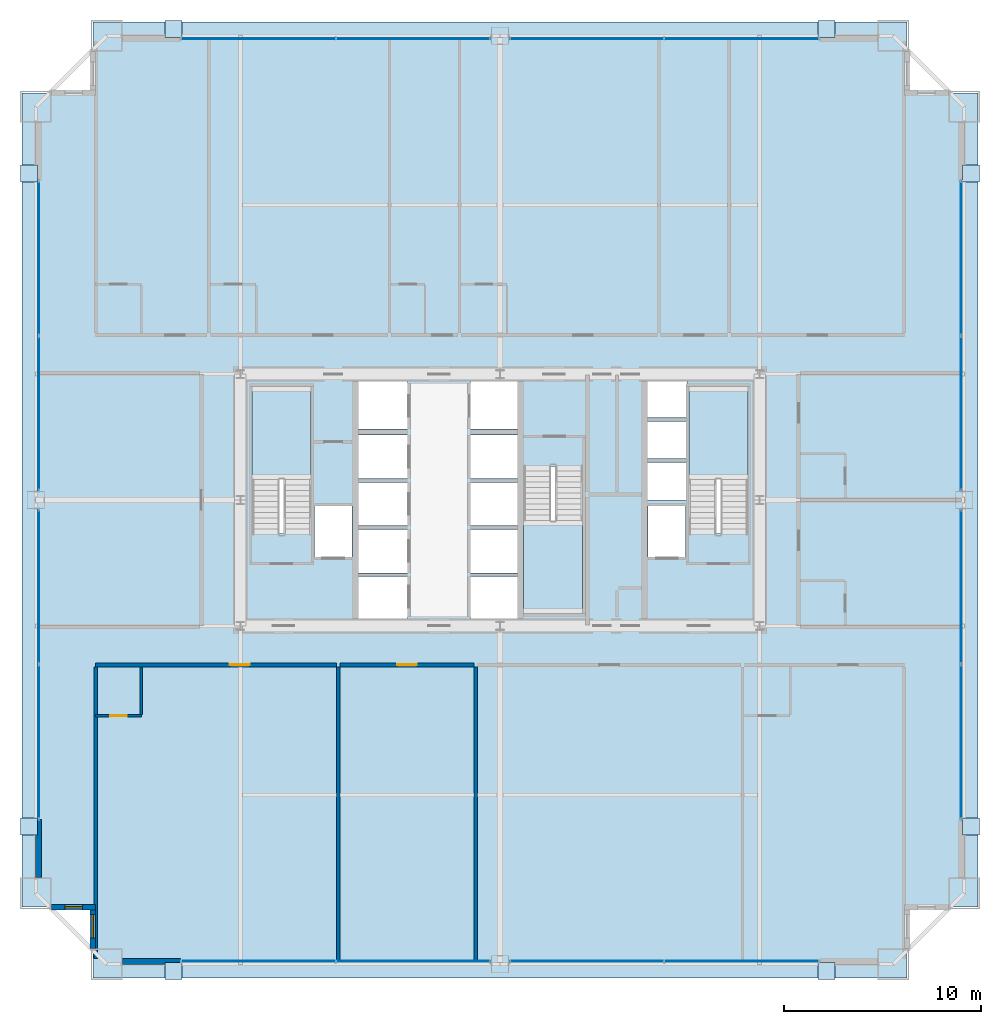
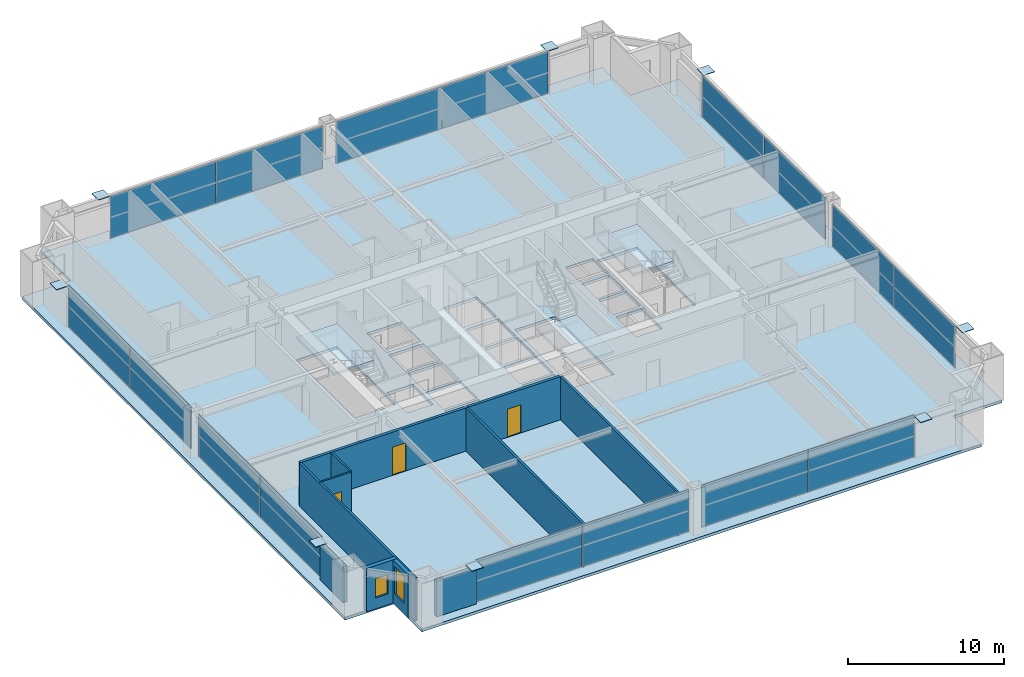
# One storey, part 33 of 38: 24 plates, 11 walls, 4 slabs, 3 doors, 2 windows, 5 openings, 11 elements without a shape of their own.
"""IFC4 building model written with IfcOpenShell, lengths in metres."""

from ifc_helpers import new_model, si_unit, direction, frame, frame_2d, origin, origin_2d, place, context, subcontext, project, spatial, polyline, rectangle, outline, extrude, source, transform, mapped, material, layer, layer_set, type_object, element, fill, aggregate, save


model = new_model("IFC4")

# Units and contexts
model_context = context("Model", 3, precision=1e-05, world=origin(), true_north=direction((0.0, 1.0)))
body_context = subcontext(model_context, "Body", "Model", "MODEL_VIEW")
ifc_project = project(units=[si_unit("LENGTHUNIT", "METRE"), si_unit("AREAUNIT", "SQUARE_METRE"), si_unit("VOLUMEUNIT", "CUBIC_METRE"), si_unit("PLANEANGLEUNIT", "RADIAN"), si_unit("MASSUNIT", "GRAM", prefix="KILO"), si_unit("THERMODYNAMICTEMPERATUREUNIT", "KELVIN"), si_unit("POWERUNIT", "WATT")], contexts=[model_context])

# Site, building, storey
site_placement = place(None, origin())
site = spatial("IfcSite", under=ifc_project, at=site_placement, CompositionType="ELEMENT")
building_placement = place(site_placement, origin())
building = spatial("IfcBuilding", under=site, at=building_placement, Name="Yuzanri Waterfront Tower", CompositionType="ELEMENT")
storey_placement = place(building_placement, frame((0.0, 0.0, 119.0)))
storey = spatial("IfcBuildingStorey", under=building, at=storey_placement, Name="L31", CompositionType="ELEMENT", Elevation=119.0)

# Stair, slab
ifc_material_1 = material(Name="Concrete C40", Category="concrete")
stair_type = type_object("IfcStairType", Name="Concrete C40 Core Dogleg Exit Stair", PredefinedType="HALF_TURN_STAIR", material=ifc_material_1)
stair_1_placement = place(storey_placement, origin())
stair_1 = element("IfcStair", 1, at=stair_1_placement, inside=storey, type_object=stair_type, Name="L31 Smoke-Proof Core Stair ST-01", PredefinedType="HALF_TURN_STAIR")
ifc_material_2 = material(Name="Concrete C40", Category="concrete")
ifc_layer_1 = layer(ifc_material_2, 0.179931640625)
ifc_layer_set_1 = layer_set([ifc_layer_1], Name="Concrete C40")
slab_type_1 = type_object("IfcSlabType", Name="Concrete C40 Stair Half-Landing Slab 180", PredefinedType="LANDING", material=ifc_layer_set_1)
slab_1_placement = place(storey_placement, frame((0.0, 0.0, 1.60009765625)))
slab_1 = element("IfcSlab", 2, at=slab_1_placement, type_object=slab_type_1, Name="ST-01 landing 1", PredefinedType="LANDING", context=body_context, shape_type="SweptSolid", body=[
    extrude(outline(polyline([(27.39990234375, 26.840087890625), (27.39990234375, 31.580078125), (24.39990234375, 31.580078125), (24.39990234375, 26.840087890625), (27.39990234375, 26.840087890625)])), origin(), (0.0, 0.0, 1.0), 0.199951171875),
])
aggregate(stair_1, [slab_1])

stair_2_placement = place(storey_placement, origin())
stair_2 = element("IfcStair", 3, at=stair_2_placement, inside=storey, type_object=stair_type, Name="L31 Smoke-Proof Core Stair ST-02", PredefinedType="HALF_TURN_STAIR")
slab_2_placement = place(storey_placement, frame((0.0, 0.0, 1.60009765625)))
slab_2 = element("IfcSlab", 4, at=slab_2_placement, type_object=slab_type_1, Name="ST-02 landing 1", PredefinedType="LANDING", context=body_context, shape_type="SweptSolid", body=[
    extrude(outline(polyline([(49.60009765625, 26.840087890625), (49.60009765625, 31.580078125), (46.60009765625, 31.580078125), (46.60009765625, 26.840087890625), (49.60009765625, 26.840087890625)])), origin(), (0.0, 0.0, 1.0), 0.199951171875),
])
aggregate(stair_2, [slab_2])

stair_3_placement = place(storey_placement, origin())
stair_3 = element("IfcStair", 5, at=stair_3_placement, inside=storey, type_object=stair_type, Name="L31 Smoke-Proof Core Stair ST-03", PredefinedType="HALF_TURN_STAIR")
slab_3_placement = place(storey_placement, frame((0.0, 0.0, 1.60009765625)))
slab_3 = element("IfcSlab", 6, at=slab_3_placement, type_object=slab_type_1, Name="ST-03 landing 1", PredefinedType="LANDING", context=body_context, shape_type="SweptSolid", body=[
    extrude(outline(polyline([(38.199951171875, 24.760009765625), (38.199951171875, 20.02001953125), (41.199951171875, 20.02001953125), (41.199951171875, 24.760009765625), (38.199951171875, 24.760009765625)])), origin(), (0.0, 0.0, 1.0), 0.199951171875),
])
aggregate(stair_3, [slab_3])

# Slab
ifc_material_3 = material(Name="Concrete C40", Category="concrete")
ifc_layer_2 = layer(ifc_material_3, 0.219970703125)
ifc_layer_set_2 = layer_set([ifc_layer_2], Name="Concrete C40")
slab_type_2 = type_object("IfcSlabType", Name="Concrete C40 Tower Typical Structural Floor Slab 220", PredefinedType="FLOOR", material=ifc_layer_set_2)
slab_4_placement = place(storey_placement, frame((0.0, 0.0, -0.219970703125)))
element("IfcSlab", 7, at=slab_4_placement, inside=storey, type_object=slab_type_2, Name="L31 Main Structural Floor Slab", PredefinedType="FLOOR", context=body_context, shape_type="SweptSolid", body=[
    extrude(outline(polyline([(16.300048828125, 1.5), (57.699951171875, 1.5), (57.699951171875, 5.10009765625), (61.300048828125, 5.10009765625), (61.300048828125, 46.5), (57.699951171875, 46.5), (57.699951171875, 50.10009765625), (16.300048828125, 50.10009765625), (16.300048828125, 46.5), (12.699951171875, 46.5), (12.699951171875, 5.10009765625), (16.300048828125, 5.10009765625), (16.300048828125, 1.5)]), holes=[polyline([(27.39990234375, 24.10009765625), (27.39990234375, 31.580078125), (24.39990234375, 31.580078125), (24.39990234375, 24.10009765625), (27.39990234375, 24.10009765625)]), polyline([(49.60009765625, 24.10009765625), (49.60009765625, 31.580078125), (46.60009765625, 31.580078125), (46.60009765625, 24.10009765625), (49.60009765625, 24.10009765625)]), polyline([(38.199951171875, 27.5), (38.199951171875, 20.02001953125), (41.199951171875, 20.02001953125), (41.199951171875, 27.5), (38.199951171875, 27.5)]), polyline([(27.56005859375, 22.89990234375), (29.47998046875, 22.89990234375), (29.47998046875, 25.5), (27.56005859375, 25.5), (27.56005859375, 22.89990234375)]), polyline([(44.52001953125, 22.89990234375), (46.43994140625, 22.89990234375), (46.43994140625, 25.5), (44.52001953125, 25.5), (44.52001953125, 22.89990234375)]), polyline([(29.800048828125, 19.699951171875), (32.300048828125, 19.699951171875), (32.300048828125, 21.89990234375), (29.800048828125, 21.89990234375), (29.800048828125, 19.699951171875)]), polyline([(29.800048828125, 22.10009765625), (32.300048828125, 22.10009765625), (32.300048828125, 24.300048828125), (29.800048828125, 24.300048828125), (29.800048828125, 22.10009765625)]), polyline([(29.800048828125, 24.5), (32.300048828125, 24.5), (32.300048828125, 26.699951171875), (29.800048828125, 26.699951171875), (29.800048828125, 24.5)]), polyline([(29.800048828125, 26.89990234375), (32.300048828125, 26.89990234375), (32.300048828125, 29.10009765625), (29.800048828125, 29.10009765625), (29.800048828125, 26.89990234375)]), polyline([(29.800048828125, 29.39990234375), (32.300048828125, 29.39990234375), (32.300048828125, 31.89990234375), (29.800048828125, 31.89990234375), (29.800048828125, 29.39990234375)]), polyline([(35.5, 19.699951171875), (37.89990234375, 19.699951171875), (37.89990234375, 21.89990234375), (35.5, 21.89990234375), (35.5, 19.699951171875)]), polyline([(35.5, 22.10009765625), (37.89990234375, 22.10009765625), (37.89990234375, 24.300048828125), (35.5, 24.300048828125), (35.5, 22.10009765625)]), polyline([(35.5, 24.5), (37.89990234375, 24.5), (37.89990234375, 26.699951171875), (35.5, 26.699951171875), (35.5, 24.5)]), polyline([(35.5, 26.89990234375), (37.89990234375, 26.89990234375), (37.89990234375, 29.10009765625), (35.5, 29.10009765625), (35.5, 26.89990234375)]), polyline([(35.5, 29.39990234375), (37.89990234375, 29.39990234375), (37.89990234375, 31.89990234375), (35.5, 31.89990234375), (35.5, 29.39990234375)]), polyline([(44.5, 25.800048828125), (46.5, 25.800048828125), (46.5, 27.699951171875), (44.5, 27.699951171875), (44.5, 25.800048828125)]), polyline([(44.5, 27.89990234375), (46.5, 27.89990234375), (46.5, 29.800048828125), (44.5, 29.800048828125), (44.5, 27.89990234375)]), polyline([(44.5, 30.0), (46.5, 30.0), (46.5, 31.89990234375), (44.5, 31.89990234375), (44.5, 30.0)])]), origin(), (0.0, 0.0, 1.0), 0.219970703125),
])

# Plates
ifc_material_4 = material(Name="Steel Q420GJC", Category="steel")
ifc_layer_3 = layer(ifc_material_4, 0.0400390625)
ifc_layer_set_3 = layer_set([ifc_layer_3], Name="Steel Q420GJC")
plate_type_1 = type_object("IfcPlateType", Name="Steel Q420GJC Mega-Brace Gusset and End-Cap Plate 40", PredefinedType="SHEET", material=ifc_layer_set_3)
shared_shape_1 = source(origin(), body_context, "Body", "SweptSolid", [
    extrude(rectangle(XDim=0.85009765625, YDim=0.85009765625, at=origin_2d()), origin(), (0.0, 0.0, 1.0), 0.0400390625),
])
for number, where, z_axis, x_axis, name in (
    (8, (20.39990234375, 1.860107421875, 3.260009765625), (0.0, 0.0, 1.0), (1.0, 0.0, 0.0), "L31 Mega-Brace Apex Cap Plate S-L"),
    (9, (53.60009765625, 1.860107421875, 3.260009765625), (0.0, 0.0, 1.0), (1.0, 0.0, 0.0), "L31 Mega-Brace Apex Cap Plate S-R"),
    (10, (20.39990234375, 49.739990234375, 3.260009765625), (0.0, 0.0, 1.0), (1.0, 0.0, 0.0), "L31 Mega-Brace Apex Cap Plate N-L"),
    (11, (53.60009765625, 49.739990234375, 3.260009765625), (0.0, 0.0, 1.0), (1.0, 0.0, 0.0), "L31 Mega-Brace Apex Cap Plate N-R"),
    (12, (13.06005859375, 9.199951171875, 3.260009765625), (0.0, 0.0, 1.0), (1.0, 0.0, 0.0), "L31 Mega-Brace Apex Cap Plate W-L"),
    (13, (13.06005859375, 42.39990234375, 3.260009765625), (0.0, 0.0, 1.0), (1.0, 0.0, 0.0), "L31 Mega-Brace Apex Cap Plate W-R"),
    (14, (60.93994140625, 9.199951171875, 3.260009765625), (0.0, 0.0, 1.0), (1.0, 0.0, 0.0), "L31 Mega-Brace Apex Cap Plate E-L"),
    (15, (60.93994140625, 42.39990234375, 3.260009765625), (0.0, 0.0, 1.0), (1.0, 0.0, 0.0), "L31 Mega-Brace Apex Cap Plate E-R"),
):
    element("IfcPlate", number, at=place(storey_placement, frame(where, z_axis=z_axis, x_axis=x_axis)), inside=storey, type_object=plate_type_1, Name=name, PredefinedType="SHEET", context=body_context, shape_type="MappedRepresentation", body=[
        mapped(shared_shape_1, transform((0.0, 0.0, 0.0), scale=1.0)),
    ])

# Curtain wall, plates
ifc_material_5 = material(Name="Anodized Architectural Bronze", Category="metal")
ifc_layer_4 = layer(ifc_material_5, 0.159912109375)
ifc_layer_set_4 = layer_set([ifc_layer_4], Name="Anodized Architectural Bronze")
curtain_wall_type = type_object("IfcCurtainWallType", Name="Anodized Bronze Hotel Upper-Tier Solar-Control Unitized Curtain Wall 7800", PredefinedType="NOTDEFINED", material=ifc_layer_set_4)
curtain_wall_1_placement = place(storey_placement, origin())
curtain_wall_1 = element("IfcCurtainWall", 16, at=curtain_wall_1_placement, inside=storey, type_object=curtain_wall_type, Name="L31 Curtain Wall CW-L31-SL", PredefinedType="NOTDEFINED")
ifc_material_6 = material(Name="Double-Silver Low-E Insulated Glass", Category="glass")
ifc_layer_5 = layer(ifc_material_6, 0.035888671875)
ifc_layer_set_5 = layer_set([ifc_layer_5], Name="Double-Silver Low-E Insulated Glass")
plate_type_2 = type_object("IfcPlateType", Name="Double Silver Low-E Insulated Vision Glass Panel 36", PredefinedType="CURTAIN_PANEL", material=ifc_layer_set_5)
shared_shape_2 = source(origin(), body_context, "Body", "SweptSolid", [
    extrude(rectangle(XDim=7.820068359375, YDim=0.035888671875, at=origin_2d()), origin(), (0.0, 0.0, 1.0), 3.280029296875),
])
plate_1_placement = place(storey_placement, frame((24.699951171875, 2.35009765625, 0.0498046875), z_axis=(0.0, 0.0, 1.0), x_axis=(1.0, 0.0, 0.0)))
plate_1 = element("IfcPlate", 17, at=plate_1_placement, type_object=plate_type_2, Name="CW-L31-SL Vision Glass Panel 01", PredefinedType="CURTAIN_PANEL", context=body_context, shape_type="MappedRepresentation", body=[
    mapped(shared_shape_2, transform((0.0, 0.0, 0.0), scale=1.0)),
])
plate_2_placement = place(storey_placement, frame((32.60009765625, 2.35009765625, 0.0498046875), z_axis=(0.0, 0.0, 1.0), x_axis=(1.0, 0.0, 0.0)))
plate_2 = element("IfcPlate", 18, at=plate_2_placement, type_object=plate_type_2, Name="CW-L31-SL Vision Glass Panel 02", PredefinedType="CURTAIN_PANEL", context=body_context, shape_type="MappedRepresentation", body=[
    mapped(shared_shape_2, transform((0.0, 0.0, 0.0), scale=1.0)),
])
aggregate(curtain_wall_1, [plate_1, plate_2])

curtain_wall_2_placement = place(storey_placement, origin())
curtain_wall_2 = element("IfcCurtainWall", 19, at=curtain_wall_2_placement, inside=storey, type_object=curtain_wall_type, Name="L31 Curtain Wall CW-L31-SR", PredefinedType="NOTDEFINED")
plate_3_placement = place(storey_placement, frame((41.39990234375, 2.35009765625, 0.0498046875), z_axis=(0.0, 0.0, 1.0), x_axis=(1.0, 0.0, 0.0)))
plate_3 = element("IfcPlate", 20, at=plate_3_placement, type_object=plate_type_2, Name="CW-L31-SR Vision Glass Panel 01", PredefinedType="CURTAIN_PANEL", context=body_context, shape_type="MappedRepresentation", body=[
    mapped(shared_shape_2, transform((0.0, 0.0, 0.0), scale=1.0)),
])
plate_4_placement = place(storey_placement, frame((49.300048828125, 2.35009765625, 0.0498046875), z_axis=(0.0, 0.0, 1.0), x_axis=(1.0, 0.0, 0.0)))
plate_4 = element("IfcPlate", 21, at=plate_4_placement, type_object=plate_type_2, Name="CW-L31-SR Vision Glass Panel 02", PredefinedType="CURTAIN_PANEL", context=body_context, shape_type="MappedRepresentation", body=[
    mapped(shared_shape_2, transform((0.0, 0.0, 0.0), scale=1.0)),
])
aggregate(curtain_wall_2, [plate_3, plate_4])

curtain_wall_3_placement = place(storey_placement, origin())
curtain_wall_3 = element("IfcCurtainWall", 22, at=curtain_wall_3_placement, inside=storey, type_object=curtain_wall_type, Name="L31 Curtain Wall CW-L31-NL", PredefinedType="NOTDEFINED")
plate_5_placement = place(storey_placement, frame((24.699951171875, 49.25, 0.0498046875), z_axis=(0.0, 0.0, 1.0), x_axis=(1.0, 0.0, 0.0)))
plate_5 = element("IfcPlate", 23, at=plate_5_placement, type_object=plate_type_2, Name="CW-L31-NL Vision Glass Panel 01", PredefinedType="CURTAIN_PANEL", context=body_context, shape_type="MappedRepresentation", body=[
    mapped(shared_shape_2, transform((0.0, 0.0, 0.0), scale=1.0)),
])
plate_6_placement = place(storey_placement, frame((32.60009765625, 49.25, 0.0498046875), z_axis=(0.0, 0.0, 1.0), x_axis=(1.0, 0.0, 0.0)))
plate_6 = element("IfcPlate", 24, at=plate_6_placement, type_object=plate_type_2, Name="CW-L31-NL Vision Glass Panel 02", PredefinedType="CURTAIN_PANEL", context=body_context, shape_type="MappedRepresentation", body=[
    mapped(shared_shape_2, transform((0.0, 0.0, 0.0), scale=1.0)),
])
aggregate(curtain_wall_3, [plate_5, plate_6])

curtain_wall_4_placement = place(storey_placement, origin())
curtain_wall_4 = element("IfcCurtainWall", 25, at=curtain_wall_4_placement, inside=storey, type_object=curtain_wall_type, Name="L31 Curtain Wall CW-L31-NR", PredefinedType="NOTDEFINED")
plate_7_placement = place(storey_placement, frame((41.39990234375, 49.25, 0.0498046875), z_axis=(0.0, 0.0, 1.0), x_axis=(1.0, 0.0, 0.0)))
plate_7 = element("IfcPlate", 26, at=plate_7_placement, type_object=plate_type_2, Name="CW-L31-NR Vision Glass Panel 01", PredefinedType="CURTAIN_PANEL", context=body_context, shape_type="MappedRepresentation", body=[
    mapped(shared_shape_2, transform((0.0, 0.0, 0.0), scale=1.0)),
])
plate_8_placement = place(storey_placement, frame((49.300048828125, 49.25, 0.0498046875), z_axis=(0.0, 0.0, 1.0), x_axis=(1.0, 0.0, 0.0)))
plate_8 = element("IfcPlate", 27, at=plate_8_placement, type_object=plate_type_2, Name="CW-L31-NR Vision Glass Panel 02", PredefinedType="CURTAIN_PANEL", context=body_context, shape_type="MappedRepresentation", body=[
    mapped(shared_shape_2, transform((0.0, 0.0, 0.0), scale=1.0)),
])
aggregate(curtain_wall_4, [plate_7, plate_8])

curtain_wall_5_placement = place(storey_placement, origin())
curtain_wall_5 = element("IfcCurtainWall", 28, at=curtain_wall_5_placement, inside=storey, type_object=curtain_wall_type, Name="L31 Curtain Wall CW-L31-WL", PredefinedType="NOTDEFINED")
plate_9_placement = place(storey_placement, frame((13.550048828125, 13.5, 0.0498046875), z_axis=(0.0, 0.0, 1.0), x_axis=(0.0, 1.0, 0.0)))
plate_9 = element("IfcPlate", 29, at=plate_9_placement, type_object=plate_type_2, Name="CW-L31-WL Vision Glass Panel 01", PredefinedType="CURTAIN_PANEL", context=body_context, shape_type="MappedRepresentation", body=[
    mapped(shared_shape_2, transform((0.0, 0.0, 0.0), scale=1.0)),
])
plate_10_placement = place(storey_placement, frame((13.550048828125, 21.39990234375, 0.0498046875), z_axis=(0.0, 0.0, 1.0), x_axis=(0.0, 1.0, 0.0)))
plate_10 = element("IfcPlate", 30, at=plate_10_placement, type_object=plate_type_2, Name="CW-L31-WL Vision Glass Panel 02", PredefinedType="CURTAIN_PANEL", context=body_context, shape_type="MappedRepresentation", body=[
    mapped(shared_shape_2, transform((0.0, 0.0, 0.0), scale=1.0)),
])
aggregate(curtain_wall_5, [plate_9, plate_10])

curtain_wall_6_placement = place(storey_placement, origin())
curtain_wall_6 = element("IfcCurtainWall", 31, at=curtain_wall_6_placement, inside=storey, type_object=curtain_wall_type, Name="L31 Curtain Wall CW-L31-WR", PredefinedType="NOTDEFINED")
plate_11_placement = place(storey_placement, frame((13.550048828125, 30.199951171875, 0.0498046875), z_axis=(0.0, 0.0, 1.0), x_axis=(0.0, 1.0, 0.0)))
plate_11 = element("IfcPlate", 32, at=plate_11_placement, type_object=plate_type_2, Name="CW-L31-WR Vision Glass Panel 01", PredefinedType="CURTAIN_PANEL", context=body_context, shape_type="MappedRepresentation", body=[
    mapped(shared_shape_2, transform((0.0, 0.0, 0.0), scale=1.0)),
])
plate_12_placement = place(storey_placement, frame((13.550048828125, 38.10009765625, 0.0498046875), z_axis=(0.0, 0.0, 1.0), x_axis=(0.0, 1.0, 0.0)))
plate_12 = element("IfcPlate", 33, at=plate_12_placement, type_object=plate_type_2, Name="CW-L31-WR Vision Glass Panel 02", PredefinedType="CURTAIN_PANEL", context=body_context, shape_type="MappedRepresentation", body=[
    mapped(shared_shape_2, transform((0.0, 0.0, 0.0), scale=1.0)),
])
aggregate(curtain_wall_6, [plate_11, plate_12])

curtain_wall_7_placement = place(storey_placement, origin())
curtain_wall_7 = element("IfcCurtainWall", 34, at=curtain_wall_7_placement, inside=storey, type_object=curtain_wall_type, Name="L31 Curtain Wall CW-L31-EL", PredefinedType="NOTDEFINED")
plate_13_placement = place(storey_placement, frame((60.449951171875, 13.5, 0.0498046875), z_axis=(0.0, 0.0, 1.0), x_axis=(0.0, 1.0, 0.0)))
plate_13 = element("IfcPlate", 35, at=plate_13_placement, type_object=plate_type_2, Name="CW-L31-EL Vision Glass Panel 01", PredefinedType="CURTAIN_PANEL", context=body_context, shape_type="MappedRepresentation", body=[
    mapped(shared_shape_2, transform((0.0, 0.0, 0.0), scale=1.0)),
])
plate_14_placement = place(storey_placement, frame((60.449951171875, 21.39990234375, 0.0498046875), z_axis=(0.0, 0.0, 1.0), x_axis=(0.0, 1.0, 0.0)))
plate_14 = element("IfcPlate", 36, at=plate_14_placement, type_object=plate_type_2, Name="CW-L31-EL Vision Glass Panel 02", PredefinedType="CURTAIN_PANEL", context=body_context, shape_type="MappedRepresentation", body=[
    mapped(shared_shape_2, transform((0.0, 0.0, 0.0), scale=1.0)),
])
aggregate(curtain_wall_7, [plate_13, plate_14])

curtain_wall_8_placement = place(storey_placement, origin())
curtain_wall_8 = element("IfcCurtainWall", 37, at=curtain_wall_8_placement, inside=storey, type_object=curtain_wall_type, Name="L31 Curtain Wall CW-L31-ER", PredefinedType="NOTDEFINED")
plate_15_placement = place(storey_placement, frame((60.449951171875, 30.199951171875, 0.0498046875), z_axis=(0.0, 0.0, 1.0), x_axis=(0.0, 1.0, 0.0)))
plate_15 = element("IfcPlate", 38, at=plate_15_placement, type_object=plate_type_2, Name="CW-L31-ER Vision Glass Panel 01", PredefinedType="CURTAIN_PANEL", context=body_context, shape_type="MappedRepresentation", body=[
    mapped(shared_shape_2, transform((0.0, 0.0, 0.0), scale=1.0)),
])
plate_16_placement = place(storey_placement, frame((60.449951171875, 38.10009765625, 0.0498046875), z_axis=(0.0, 0.0, 1.0), x_axis=(0.0, 1.0, 0.0)))
plate_16 = element("IfcPlate", 39, at=plate_16_placement, type_object=plate_type_2, Name="CW-L31-ER Vision Glass Panel 02", PredefinedType="CURTAIN_PANEL", context=body_context, shape_type="MappedRepresentation", body=[
    mapped(shared_shape_2, transform((0.0, 0.0, 0.0), scale=1.0)),
])
aggregate(curtain_wall_8, [plate_15, plate_16])

# Wall, opening, door
ifc_material_7 = material(Name="Moisture-Resistant Gypsum Stud Wall", Category="gypsum")
ifc_layer_6 = layer(ifc_material_7, 0.1201171875)
ifc_layer_set_6 = layer_set([ifc_layer_6], Name="Moisture-Resistant Gypsum Stud Wall")
wall_type_1 = type_object("IfcWallType", Name="Bathroom and Kitchen Wet Partition 120", PredefinedType="PARTITIONING", material=ifc_layer_set_6)
wall_1_placement = place(storey_placement, frame((16.43994140625, 14.840087890625, 0.0), z_axis=(0.0, 0.0, 1.0), x_axis=(1.0, 0.0, 0.0)))
wall_1 = element("IfcWall", 40, at=wall_1_placement, inside=storey, type_object=wall_type_1, Name="L31 Partition UW-L31-S1-BS", PredefinedType="PARTITIONING", context=body_context, shape_type="SweptSolid", body=[
    extrude(rectangle(XDim=2.330078125, YDim=0.1201171875, at=frame_2d((1.1650390625, 0.0))), origin(), (0.0, 0.0, 1.0), 3.3798828125),
])
opening_1_placement = place(wall_1_placement, frame((0.739990234375, 0.0, 0.0)))
opening_1 = element("IfcOpeningElement", 41, at=opening_1_placement, cuts=wall_1, Name="Opening ID-0850", PredefinedType="OPENING", context=body_context, shape_type="SweptSolid", body=[
    extrude(rectangle(XDim=0.85009765625, YDim=2.10009765625, at=frame_2d((0.425048828125, 1.050048828125))), frame((0.0, 0.074951171875, 0.0), z_axis=(0.0, -1.0, 0.0), x_axis=(1.0, 0.0, 0.0)), (0.0, 0.0, 1.0), 0.14990234375),
])
ifc_material_8 = material(Name="Moisture-Resistant Lacquered Timber", Category="wood")
door_type_1 = type_object("IfcDoorType", Name="En-Suite Bathroom and Kitchen Swing Door 850x2100", OperationType="NOTDEFINED", PredefinedType="DOOR", material=ifc_material_8)
shared_shape_3 = source(origin(), body_context, "Body", "SweptSolid", [
    extrude(rectangle(XDim=0.85009765625, YDim=2.10009765625, at=frame_2d((0.425048828125, 1.050048828125))), frame((0.0, 0.02490234375, 0.0), z_axis=(0.0, -1.0, 0.0), x_axis=(1.0, 0.0, 0.0)), (0.0, 0.0, 1.0), 0.050048828125),
])
door_1_placement = place(opening_1_placement, origin())
door_1 = element("IfcDoor", 42, at=door_1_placement, inside=storey, type_object=door_type_1, Name="L31 Guest En-Suite Door", OperationType="SINGLE_SWING_LEFT", OverallHeight=2.10009765625, OverallWidth=0.85009765625, PredefinedType="DOOR", context=body_context, shape_type="MappedRepresentation", body=[
    mapped(shared_shape_3, transform((0.0, 0.0, 0.0), scale=1.0)),
])
fill(opening_1, door_1)

# Wall, opening, window
ifc_material_9 = material(Name="Honed Chongqing Dark Basalt Stone", Category="masonry")
ifc_layer_7 = layer(ifc_material_9, 0.300048828125)
ifc_layer_set_7 = layer_set([ifc_layer_7], Name="Honed Chongqing Dark Basalt Stone")
wall_type_2 = type_object("IfcWallType", Name="Bronze Rainscreen Insulated Spandrel Portal Wall 300", PredefinedType="SOLIDWALL", material=ifc_layer_set_7)
wall_2_placement = place(storey_placement, frame((14.199951171875, 5.10009765625, 0.0), z_axis=(0.0, 0.0, 1.0), x_axis=(1.0, 0.0, 0.0)))
wall_2 = element("IfcWall", 43, at=wall_2_placement, inside=storey, type_object=wall_type_2, Name="L31 Notched Corner Masonry Wall SW-X", PredefinedType="SOLIDWALL", context=body_context, shape_type="SweptSolid", body=[
    extrude(rectangle(XDim=2.25, YDim=0.300048828125, at=frame_2d((1.125, 0.0))), origin(), (0.0, 0.0, 1.0), 3.3798828125),
])
opening_2_placement = place(wall_2_placement, frame((0.675048828125, 0.0, 0.85009765625)))
opening_2 = element("IfcOpeningElement", 44, at=opening_2_placement, cuts=wall_2, Name="Opening WN-05", PredefinedType="OPENING", context=body_context, shape_type="SweptSolid", body=[
    extrude(rectangle(XDim=0.89990234375, YDim=1.5, at=frame_2d((0.449951171875, 0.75))), frame((0.0, 0.1650390625, 0.0), z_axis=(0.0, -1.0, 0.0), x_axis=(1.0, 0.0, 0.0)), (0.0, 0.0, 1.0), 0.329833984375),
])
ifc_material_10 = material(Name="Double-Silver Low-E Insulated Glass", Category="glass")
window_type_1 = type_object("IfcWindowType", Name="Anodized Bronze Service and Stairwell Smoke-Vent Window 900x1500", PartitioningType="SINGLE_PANEL", PredefinedType="WINDOW", material=ifc_material_10)
shared_shape_4 = source(origin(), body_context, "Body", "SweptSolid", [
    extrude(rectangle(XDim=0.89990234375, YDim=1.5, at=frame_2d((0.449951171875, 0.75))), frame((0.0, 0.030029296875, 0.0), z_axis=(0.0, -1.0, 0.0), x_axis=(1.0, 0.0, 0.0)), (0.0, 0.0, 1.0), 0.06005859375),
])
window_1_placement = place(opening_2_placement, origin())
window_1 = element("IfcWindow", 45, at=window_1_placement, inside=storey, type_object=window_type_1, Name="L31 Notched Corner Window SW-X", OverallHeight=1.5, OverallWidth=0.89990234375, PartitioningType="SINGLE_PANEL", PredefinedType="WINDOW", context=body_context, shape_type="MappedRepresentation", body=[
    mapped(shared_shape_4, transform((0.0, 0.0, 0.0), scale=1.0)),
])
fill(opening_2, window_1)

wall_3_placement = place(storey_placement, frame((16.300048828125, 5.25, 0.0), z_axis=(0.0, 0.0, 1.0), x_axis=(0.0, -1.0, 0.0)))
wall_3 = element("IfcWall", 46, at=wall_3_placement, inside=storey, type_object=wall_type_2, Name="L31 Notched Corner Masonry Wall SW-Y", PredefinedType="SOLIDWALL", context=body_context, shape_type="SweptSolid", body=[
    extrude(rectangle(XDim=2.25, YDim=0.300048828125, at=frame_2d((1.125, 0.0))), origin(), (0.0, 0.0, 1.0), 3.3798828125),
])
opening_3_placement = place(wall_3_placement, frame((0.52490234375, 0.0, 0.85009765625)))
opening_3 = element("IfcOpeningElement", 47, at=opening_3_placement, cuts=wall_3, Name="Opening WN-02", PredefinedType="OPENING", context=body_context, shape_type="SweptSolid", body=[
    extrude(rectangle(XDim=1.199951171875, YDim=2.10009765625, at=frame_2d((0.60009765625, 1.050048828125))), frame((0.0, 0.1650390625, 0.0), z_axis=(0.0, -1.0, 0.0), x_axis=(1.0, 0.0, 0.0)), (0.0, 0.0, 1.0), 0.329833984375),
])
ifc_material_11 = material(Name="Double-Silver Low-E Insulated Glass", Category="glass")
window_type_2 = type_object("IfcWindowType", Name="Anodized Bronze Notched Corner Deep-Set Slot Window 1200x2100", PartitioningType="SINGLE_PANEL", PredefinedType="WINDOW", material=ifc_material_11)
shared_shape_5 = source(origin(), body_context, "Body", "SweptSolid", [
    extrude(rectangle(XDim=1.199951171875, YDim=2.10009765625, at=frame_2d((0.60009765625, 1.050048828125))), frame((0.0, 0.030029296875, 0.0), z_axis=(0.0, -1.0, 0.0), x_axis=(1.0, 0.0, 0.0)), (0.0, 0.0, 1.0), 0.06005859375),
])
window_2_placement = place(opening_3_placement, origin())
window_2 = element("IfcWindow", 48, at=window_2_placement, inside=storey, type_object=window_type_2, Name="L31 Notched Corner Window SW-Y", OverallHeight=2.10009765625, OverallWidth=1.199951171875, PartitioningType="SINGLE_PANEL", PredefinedType="WINDOW", context=body_context, shape_type="MappedRepresentation", body=[
    mapped(shared_shape_5, transform((0.0, 0.0, 0.0), scale=1.0)),
])
fill(opening_3, window_2)

# Wall, opening, door
ifc_material_12 = material(Name="Autoclaved Aerated Concrete Blockwork", Category="masonry")
ifc_layer_8 = layer(ifc_material_12, 0.199951171875)
ifc_layer_set_8 = layer_set([ifc_layer_8], Name="Autoclaved Aerated Concrete Blockwork")
wall_type_3 = type_object("IfcWallType", Name="Corridor and Unit Party Fire Wall 200", PredefinedType="PARTITIONING", material=ifc_layer_set_8)
wall_4_placement = place(storey_placement, frame((16.43994140625, 17.419921875, 0.0), z_axis=(0.0, 0.0, 1.0), x_axis=(1.0, 0.0, 0.0)))
wall_4 = element("IfcWall", 49, at=wall_4_placement, inside=storey, type_object=wall_type_3, Name="L31 Partition UW-L31-S1-CN", PredefinedType="PARTITIONING", context=body_context, shape_type="SweptSolid", body=[
    extrude(rectangle(XDim=12.256103515625, YDim=0.199951171875, at=frame_2d((6.1279296875, 0.0))), origin(), (0.0, 0.0, 1.0), 3.3798828125),
])
opening_4_placement = place(wall_4_placement, frame((6.8330078125, 0.0, 0.0)))
opening_4 = element("IfcOpeningElement", 50, at=opening_4_placement, cuts=wall_4, Name="Opening FD-1000", PredefinedType="OPENING", context=body_context, shape_type="SweptSolid", body=[
    extrude(rectangle(XDim=1.0, YDim=2.199951171875, at=frame_2d((0.5, 1.10009765625))), frame((0.0, 0.11474609375, 0.0), z_axis=(0.0, -1.0, 0.0), x_axis=(1.0, 0.0, 0.0)), (0.0, 0.0, 1.0), 0.229736328125),
])
ifc_material_13 = material(Name="Engineered Oak Fire-Rated Timber", Category="wood")
door_type_2 = type_object("IfcDoorType", Name="Guestroom and Apartment Entrance Fire Door 1000x2200", OperationType="NOTDEFINED", PredefinedType="DOOR", material=ifc_material_13)
shared_shape_6 = source(origin(), body_context, "Body", "SweptSolid", [
    extrude(rectangle(XDim=1.0, YDim=2.199951171875, at=frame_2d((0.5, 1.10009765625))), frame((0.0, 0.02490234375, 0.0), z_axis=(0.0, -1.0, 0.0), x_axis=(1.0, 0.0, 0.0)), (0.0, 0.0, 1.0), 0.050048828125),
])
door_2_placement = place(opening_4_placement, origin())
door_2 = element("IfcDoor", 51, at=door_2_placement, inside=storey, type_object=door_type_2, Name="L31 Grand Riverview Suite Entrance Door", OperationType="SINGLE_SWING_RIGHT", OverallHeight=2.199951171875, OverallWidth=1.0, PredefinedType="DOOR", context=body_context, shape_type="MappedRepresentation", body=[
    mapped(shared_shape_6, transform((0.0, 0.0, 0.0), scale=1.0)),
])
fill(opening_4, door_2)

wall_5_placement = place(storey_placement, frame((28.85595703125, 17.419921875, 0.0), z_axis=(0.0, 0.0, 1.0), x_axis=(1.0, 0.0, 0.0)))
wall_5 = element("IfcWall", 52, at=wall_5_placement, inside=storey, type_object=wall_type_3, Name="L31 Partition UW-L31-S2-CN", PredefinedType="PARTITIONING", context=body_context, shape_type="SweptSolid", body=[
    extrude(rectangle(XDim=6.830078125, YDim=0.199951171875, at=frame_2d((3.4150390625, 0.0))), origin(), (0.0, 0.0, 1.0), 3.3798828125),
])
opening_5_placement = place(wall_5_placement, frame((2.9150390625, 0.0, 0.0)))
opening_5 = element("IfcOpeningElement", 53, at=opening_5_placement, cuts=wall_5, Name="Opening FD-1000", PredefinedType="OPENING", context=body_context, shape_type="SweptSolid", body=[
    extrude(rectangle(XDim=1.0, YDim=2.199951171875, at=frame_2d((0.5, 1.10009765625))), frame((0.0, 0.11474609375, 0.0), z_axis=(0.0, -1.0, 0.0), x_axis=(1.0, 0.0, 0.0)), (0.0, 0.0, 1.0), 0.229736328125),
])
door_3_placement = place(opening_5_placement, origin())
door_3 = element("IfcDoor", 54, at=door_3_placement, inside=storey, type_object=door_type_2, Name="L31 Boardroom A Entrance Door", OperationType="SINGLE_SWING_RIGHT", OverallHeight=2.199951171875, OverallWidth=1.0, PredefinedType="DOOR", context=body_context, shape_type="MappedRepresentation", body=[
    mapped(shared_shape_6, transform((0.0, 0.0, 0.0), scale=1.0)),
])
fill(opening_5, door_3)

# Walls
shared_shape_7 = source(origin(), body_context, "Body", "SweptSolid", [
    extrude(rectangle(XDim=2.949951171875, YDim=0.300048828125, at=frame_2d((1.47509765625, 0.0))), origin(), (0.0, 0.0, 1.0), 2.77490234375),
])
for number, where, z_axis, x_axis, name in (
    (55, (17.800048828125, 2.35009765625, 0.0), (0.0, 0.0, 1.0), (1.0, 0.0, 0.0), "L31 S Left Braced Masonry Shoulder"),
    (56, (13.550048828125, 6.60009765625, 0.0), (0.0, 0.0, 1.0), (0.0, 1.0, 0.0), "L31 W Left Braced Masonry Shoulder"),
):
    element("IfcWall", number, at=place(storey_placement, frame(where, z_axis=z_axis, x_axis=x_axis)), inside=storey, type_object=wall_type_2, Name=name, PredefinedType="SOLIDWALL", context=body_context, shape_type="MappedRepresentation", body=[
        mapped(shared_shape_7, transform((0.0, 0.0, 0.0), scale=1.0)),
    ])
shared_shape_8 = source(origin(), body_context, "Body", "SweptSolid", [
    extrude(rectangle(XDim=2.420166015625, YDim=0.1201171875, at=frame_2d((1.2099609375, 0.0))), origin(), (0.0, 0.0, 1.0), 3.3798828125),
])
wall_6_placement = place(storey_placement, frame((18.77001953125, 14.89990234375, 0.0), z_axis=(0.0, 0.0, 1.0), x_axis=(0.0, 1.0, 0.0)))
element("IfcWall", 57, at=wall_6_placement, inside=storey, type_object=wall_type_1, Name="L31-S1 En-Suite Side Wall", PredefinedType="PARTITIONING", context=body_context, shape_type="MappedRepresentation", body=[
    mapped(shared_shape_8, transform((0.0, 0.0, 0.0), scale=1.0)),
])
ifc_material_14 = material(Name="Gypsum Fireboard Acoustic Stud Wall", Category="gypsum")
ifc_layer_9 = layer(ifc_material_14, 0.159912109375)
ifc_layer_set_9 = layer_set([ifc_layer_9], Name="Gypsum Fireboard Acoustic Stud Wall")
wall_type_4 = type_object("IfcWallType", Name="Acoustic Suite Demising Partition 160", PredefinedType="PARTITIONING", material=ifc_layer_set_9)
shared_shape_9 = source(origin(), body_context, "Body", "SweptSolid", [
    extrude(rectangle(XDim=14.969970703125, YDim=0.159912109375, at=frame_2d((7.48486328125, 0.0))), origin(), (0.0, 0.0, 1.0), 3.3798828125),
])
for number, where, z_axis, x_axis, name in (
    (58, (28.77587890625, 2.35009765625, 0.0), (0.0, 0.0, 1.0), (0.0, 1.0, 0.0), "L31-S1 Party Wall"),
    (59, (35.76611328125, 2.35009765625, 0.0), (0.0, 0.0, 1.0), (0.0, 1.0, 0.0), "L31-S2 Party Wall"),
):
    element("IfcWall", number, at=place(storey_placement, frame(where, z_axis=z_axis, x_axis=x_axis)), inside=storey, type_object=wall_type_4, Name=name, PredefinedType="PARTITIONING", context=body_context, shape_type="MappedRepresentation", body=[
        mapped(shared_shape_9, transform((0.0, 0.0, 0.0), scale=1.0)),
    ])
shared_shape_10 = source(origin(), body_context, "Body", "SweptSolid", [
    extrude(rectangle(XDim=14.820068359375, YDim=0.159912109375, at=frame_2d((7.41015625, 0.0))), origin(), (0.0, 0.0, 1.0), 3.3798828125),
])
wall_7_placement = place(storey_placement, frame((16.449951171875, 2.5, 0.0), z_axis=(0.0, 0.0, 1.0), x_axis=(0.0, 1.0, 0.0)))
element("IfcWall", 60, at=wall_7_placement, inside=storey, type_object=wall_type_4, Name="L31 South Band West End Wall", PredefinedType="PARTITIONING", context=body_context, shape_type="MappedRepresentation", body=[
    mapped(shared_shape_10, transform((0.0, 0.0, 0.0), scale=1.0)),
])

save(model, "model.ifc")
